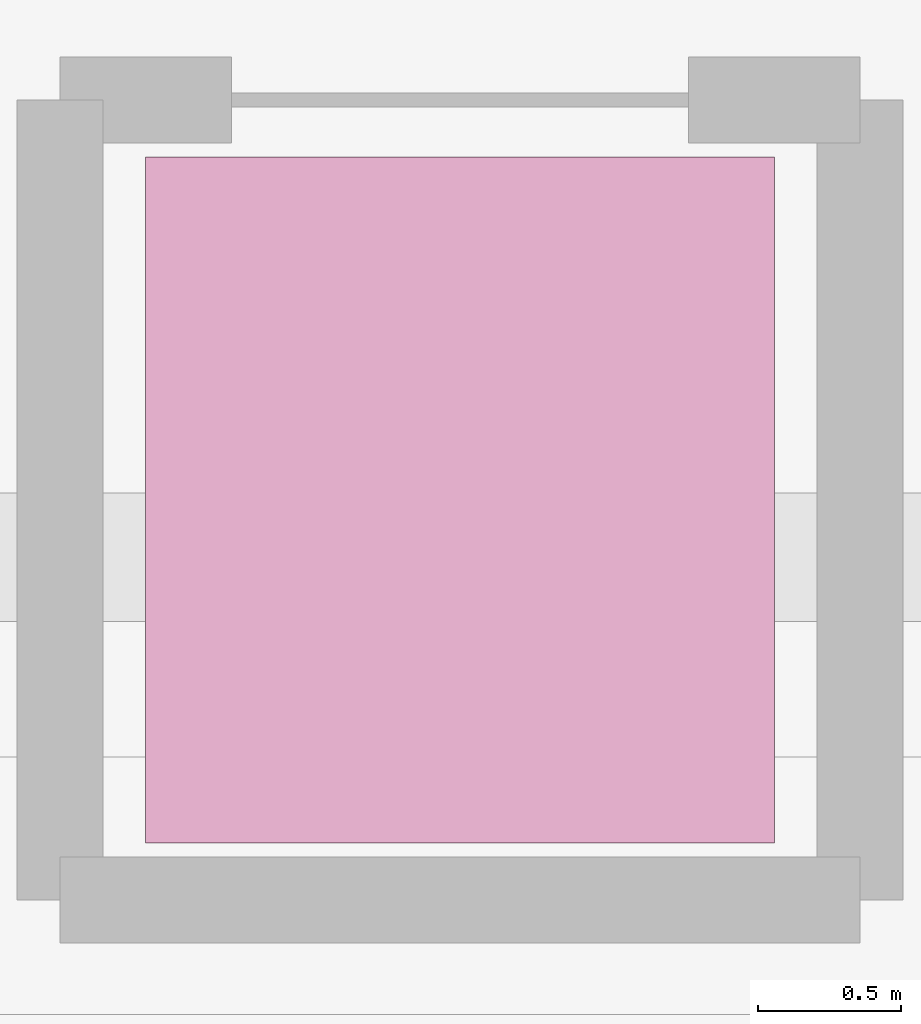
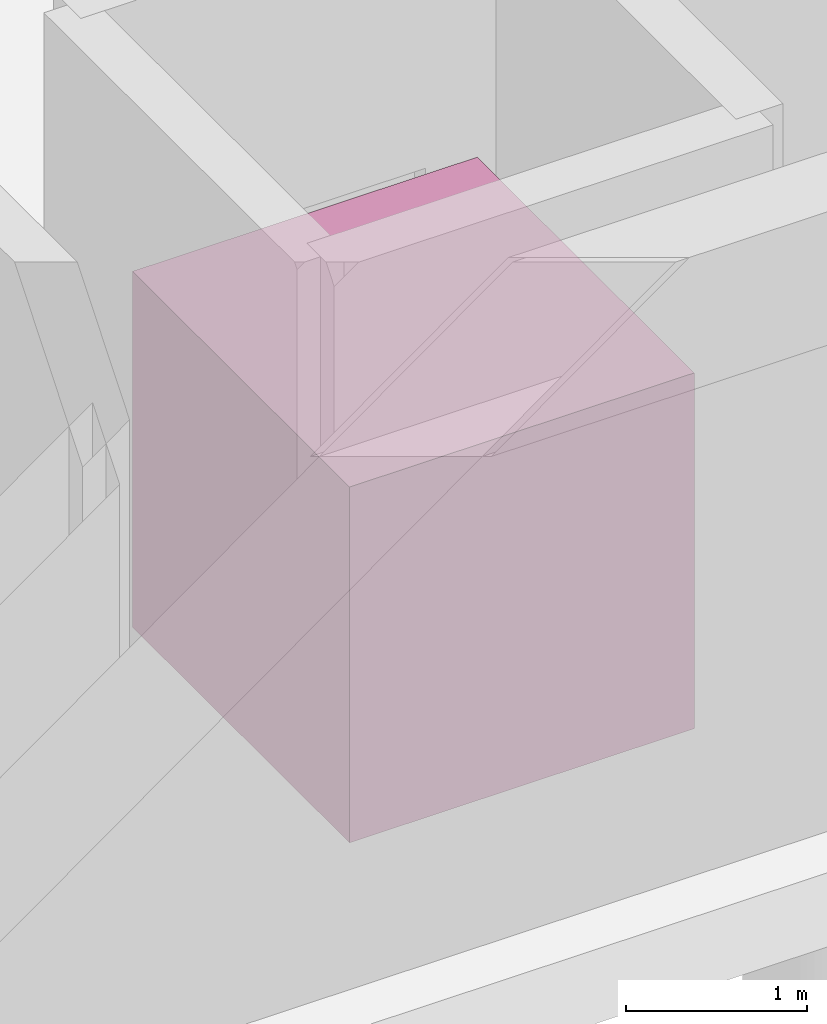
# One storey, part 11 of 11: 1 transport element.
"""IFC4 building model written with IfcOpenShell, lengths in metres."""

from ifc_helpers import new_model, si_unit, direction, frame, origin, origin_2d, place, context, subcontext, project, spatial, rectangle, extrude, material, type_object, element, save


model = new_model("IFC4")

# Units and contexts
model_context = context("Model", 3, precision=1e-05, world=origin(), true_north=direction((0.0, 1.0)))
body_context = subcontext(model_context, "Body", "Model", "MODEL_VIEW")
ifc_project = project(units=[si_unit("LENGTHUNIT", "METRE"), si_unit("AREAUNIT", "SQUARE_METRE"), si_unit("VOLUMEUNIT", "CUBIC_METRE"), si_unit("PLANEANGLEUNIT", "RADIAN"), si_unit("MASSUNIT", "GRAM", prefix="KILO")], contexts=[model_context])

# Site, building, storey
site_placement = place(None, origin())
site = spatial("IfcSite", under=ifc_project, at=site_placement, CompositionType="ELEMENT")
building_placement = place(site_placement, origin())
building = spatial("IfcBuilding", under=site, at=building_placement, Name="Serraluz Foothill Cableway Terminal", CompositionType="ELEMENT")
storey_placement = place(building_placement, frame((0.0, 0.0, -4.5)))
storey = spatial("IfcBuildingStorey", under=building, at=storey_placement, Name="B1", CompositionType="ELEMENT", Elevation=-4.5)

# Transport element
ifc_material = material(Name="Brushed stainless steel AISI 304", Category="steel")
transport_element_type = type_object("IfcTransportElementType", Name="TYP-LF-GOODS-2400", PredefinedType="ELEVATOR", material=ifc_material)
transport_element_placement = place(storey_placement, frame((91.39990234375, 78.199951171875, 0.0), z_axis=(0.0, 0.0, 1.0), x_axis=(1.0, 0.0, 0.0)))
element("IfcTransportElement", 1, at=transport_element_placement, inside=storey, type_object=transport_element_type, Name="Elevator Car LF-07", PredefinedType="ELEVATOR", context=body_context, shape_type="SweptSolid", body=[
    extrude(rectangle(XDim=2.199951171875, YDim=2.39990234375, at=origin_2d()), origin(), (0.0, 0.0, 1.0), 2.39990234375),
])

save(model, "model.ifc")
